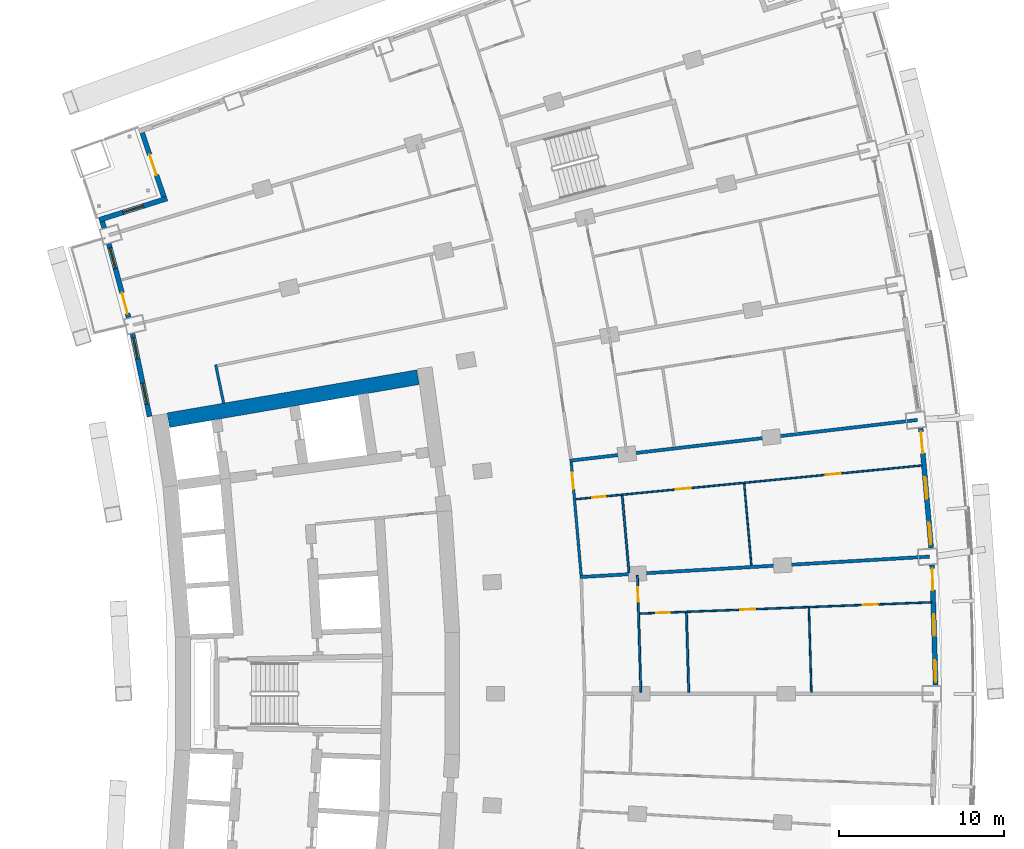
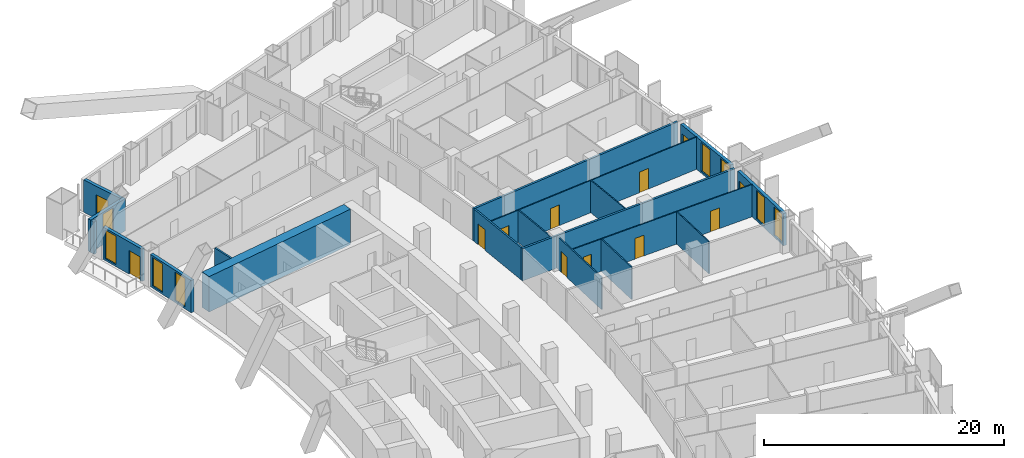
# One storey, part 18 of 25: 19 walls, 12 doors, 8 windows, 20 openings.
"""IFC4 building model written with IfcOpenShell, lengths in metres."""

import ifcopenshell
import ifcopenshell.guid

model = None  # the IFC model being written
_history = None  # IfcOwnerHistory: only IFC2X3 demands one
_inside = {}  # id of a spatial element -> (the spatial element, [elements in it])
_under = {}  # id of a project, library or spatial element -> (it, [spatial elements below it])
_declared = {}  # id of a project -> (the project, [libraries it declares])
_typed = {}  # id of a type object -> (the type object, [elements of that type])
_made_of = {}  # id of a material, layer set ... -> (it, [elements and type objects made of it])


def new_model(schema):
    """Start an empty IFC model of exactly this schema.

    Asked for "IFC4X3", IfcOpenShell would pick the latest addendum, in which some entities
    have other attributes; the version numbers below select the first issue.
    IFC2X3 requires an IfcOwnerHistory on every rooted entity: one is made here for all.
    """
    global model, _history
    if schema == "IFC4X3":
        model = ifcopenshell.file(schema_version=(4, 3, 0, 0))
    else:
        model = ifcopenshell.file(schema=schema)
    _inside.clear()
    _under.clear()
    _declared.clear()
    _typed.clear()
    _made_of.clear()
    _history = None
    if model.schema == "IFC2X3":
        org = make("IfcOrganization", Name="unknown")
        user = make(
            "IfcPersonAndOrganization",
            ThePerson=make("IfcPerson", FamilyName="unknown"),
            TheOrganization=org,
        )
        app = make(
            "IfcApplication",
            ApplicationDeveloper=org,
            Version="unknown",
            ApplicationFullName="unknown",
            ApplicationIdentifier="unknown",
        )
        _history = make(
            "IfcOwnerHistory",
            OwningUser=user,
            OwningApplication=app,
            ChangeAction="ADDED",
            CreationDate=0,
        )
    return model


def make(cls, **values):
    """One entity of the class cls with the attributes given. An attribute that is None is left unset."""
    return model.create_entity(
        cls, **{name: value for name, value in values.items() if value is not None}
    )


def rooted(cls, **values):
    """An entity with a GlobalId (a new one), such as an element, a storey or a relation."""
    return make(cls, GlobalId=ifcopenshell.guid.new(), OwnerHistory=_history, **values)


def si_unit(unit_type, name, prefix=None):
    """IfcSIUnit, for example si_unit("LENGTHUNIT", "METRE", prefix="MILLI")."""
    return make("IfcSIUnit", UnitType=unit_type, Prefix=prefix, Name=name)


def assignment(units):
    """IfcUnitAssignment: the units of a project."""
    return None if units is None else make("IfcUnitAssignment", Units=units)


def point(xyz):
    """IfcCartesianPoint."""
    return None if xyz is None else make("IfcCartesianPoint", Coordinates=xyz)


def direction(xyz):
    """IfcDirection."""
    return None if xyz is None else make("IfcDirection", DirectionRatios=xyz)


def frame(location, z_axis=None, x_axis=None):
    """IfcAxis2Placement3D, a coordinate frame: its origin and axes. An axis left out is left unset."""
    return make(
        "IfcAxis2Placement3D",
        Location=point(location),
        Axis=direction(z_axis),
        RefDirection=direction(x_axis),
    )


def frame_2d(location, x_axis=None):
    """IfcAxis2Placement2D, a coordinate frame in the plane: its origin and x axis."""
    return make(
        "IfcAxis2Placement2D", Location=point(location), RefDirection=direction(x_axis)
    )


def origin():
    """The frame at (0, 0, 0) with its axes left unset."""
    return frame((0.0, 0.0, 0.0))


def place(relative_to, where):
    """IfcLocalPlacement: puts the frame where relative to a parent placement (None: the world)."""
    return make(
        "IfcLocalPlacement", PlacementRelTo=relative_to, RelativePlacement=where
    )


def context(
    kind, dimensions, precision=None, world=None, true_north=None, identifier=None
):
    """IfcGeometricRepresentationContext, for example the 3D "Model" context."""
    return make(
        "IfcGeometricRepresentationContext",
        ContextIdentifier=identifier,
        ContextType=kind,
        CoordinateSpaceDimension=dimensions,
        Precision=precision,
        WorldCoordinateSystem=world,
        TrueNorth=true_north,
    )


def subcontext(parent, identifier, kind, view, scale=None):
    """IfcGeometricRepresentationSubContext, for example "Body" below "Model"."""
    return make(
        "IfcGeometricRepresentationSubContext",
        ContextIdentifier=identifier,
        ContextType=kind,
        ParentContext=parent,
        TargetScale=scale,
        TargetView=view,
    )


def project(units=None, contexts=None):
    """IfcProject with its units and contexts."""
    return rooted(
        "IfcProject",
        Name="project",
        RepresentationContexts=contexts,
        UnitsInContext=assignment(units),
    )


def spatial(cls, under=None, at=None, **own):
    """A site, building, storey or space (cls), placed at a placement, below another one or the project."""
    s = rooted(cls, ObjectPlacement=at, **own)
    if under is not None:
        _under.setdefault(under.id(), (under, []))[1].append(s)
    return s


def profile(cls, at=None, kind="AREA", **sizes):
    """A parametric profile (cls). Its sizes go by their IFC names, for example OverallWidth=200.0."""
    return make(cls, ProfileType=kind, Position=at, **sizes)


def rectangle(**sizes):
    """IfcRectangleProfileDef."""
    return profile("IfcRectangleProfileDef", **sizes)


def extrude(swept, where, along, depth):
    """IfcExtrudedAreaSolid: the profile swept, set in the frame where, extruded along a direction by depth."""
    return make(
        "IfcExtrudedAreaSolid",
        SweptArea=swept,
        Position=where,
        ExtrudedDirection=direction(along),
        Depth=depth,
    )


def shape(context_of_items, identifier, shape_type, items):
    """IfcShapeRepresentation: the items that make up one representation, for example the "Body"."""
    return make(
        "IfcShapeRepresentation",
        ContextOfItems=context_of_items,
        RepresentationIdentifier=identifier,
        RepresentationType=shape_type,
        Items=items,
    )


def material(Name=None, Category=None):
    """IfcMaterial."""
    return make("IfcMaterial", Name=Name, Category=Category)


def layer(
    of_material, thickness, ventilated=None, Name=None, Category=None, Priority=None
):
    """IfcMaterialLayer: one layer of a wall or slab, of a material (None: an air gap)."""
    return make(
        "IfcMaterialLayer",
        Material=of_material,
        LayerThickness=thickness,
        IsVentilated=ventilated,
        Name=Name,
        Category=Category,
        Priority=Priority,
    )


def layer_set(layers, Name=None):
    """IfcMaterialLayerSet."""
    return make("IfcMaterialLayerSet", MaterialLayers=layers, LayerSetName=Name)


def made_of(thing, what):
    """Note that an element or type object is made of a material, layer set ...; save() writes the relation."""
    if what is not None:
        _made_of.setdefault(what.id(), (what, []))[1].append(thing)
    return thing


def type_object(cls, material=None, **own):
    """A type object (cls), such as IfcWallType, which elements share."""
    return made_of(rooted(cls, **own), material)


def element(
    cls,
    number,
    at=None,
    inside=None,
    cuts=None,
    type_object=None,
    material=None,
    context=None,
    identifier="Body",
    shape_type=None,
    held_by="IfcProductDefinitionShape",
    body=None,
    shapes=None,
    **own,
):
    """One element of the class cls, such as IfcWall. Its Tag is "e" and its number.

    at: its placement. inside: the storey or other place that contains it. cuts: it is an
    opening in that element (IfcRelVoidsElement). A single representation is given by context,
    identifier, shape_type and body (its items); several are given by shapes. held_by: the class
    of the entity that holds the representations. save() writes the other relations.
    """
    e = rooted(cls, Tag="e%d" % number, ObjectPlacement=at, **own)
    if body is not None:
        shapes = [shape(context, identifier, shape_type, body)]
    if shapes is not None:
        e.Representation = make(held_by, Representations=shapes)
    if inside is not None:
        _inside.setdefault(inside.id(), (inside, []))[1].append(e)
    if cuts is not None:
        rooted(
            "IfcRelVoidsElement", RelatingBuildingElement=cuts, RelatedOpeningElement=e
        )
    if type_object is not None:
        _typed.setdefault(type_object.id(), (type_object, []))[1].append(e)
    return made_of(e, material)


def fill(opening, filler):
    """IfcRelFillsElement: the door or window that sits in an opening."""
    return rooted(
        "IfcRelFillsElement",
        RelatingOpeningElement=opening,
        RelatedBuildingElement=filler,
    )


def aggregate(whole, parts):
    """IfcRelAggregates: a whole, such as a stair, and the parts it consists of."""
    return rooted("IfcRelAggregates", RelatingObject=whole, RelatedObjects=parts)


def save(model, path):
    """Write the relations noted so far, then the file.

    IfcRelAggregates (storeys below a building ...), IfcRelContainedInSpatialStructure (elements
    in a storey), IfcRelDefinesByType, IfcRelAssociatesMaterial and IfcRelDeclares: one each for
    every whole, place, type object, material and project.
    """
    for whole, parts in _under.values():
        aggregate(whole, parts)
    for where, things in _inside.values():
        rooted(
            "IfcRelContainedInSpatialStructure",
            RelatedElements=things,
            RelatingStructure=where,
        )
    for kind, things in _typed.values():
        rooted("IfcRelDefinesByType", RelatedObjects=things, RelatingType=kind)
    for what, things in _made_of.values():
        rooted("IfcRelAssociatesMaterial", RelatedObjects=things, RelatingMaterial=what)
    for by, libraries in _declared.values():
        rooted("IfcRelDeclares", RelatingContext=by, RelatedDefinitions=libraries)
    model.write(path)


model = new_model("IFC4")

# Units and contexts
model_context = context("Model", 3, precision=1e-05, world=origin(), true_north=direction((0.0, 1.0)))
body_context = subcontext(model_context, "Body", "Model", "MODEL_VIEW")
ifc_project = project(units=[si_unit("LENGTHUNIT", "METRE"), si_unit("AREAUNIT", "SQUARE_METRE"), si_unit("VOLUMEUNIT", "CUBIC_METRE"), si_unit("PLANEANGLEUNIT", "RADIAN"), si_unit("MASSUNIT", "GRAM", prefix="KILO")], contexts=[model_context])

# Site, building, storey
site_placement = place(None, origin())
site = spatial("IfcSite", under=ifc_project, at=site_placement, CompositionType="ELEMENT")
building_placement = place(site_placement, origin())
building = spatial("IfcBuilding", under=site, at=building_placement, Name="Alderwake Tower", CompositionType="ELEMENT")
storey_placement = place(building_placement, frame((0.0, 0.0, 64.39990234375)))
storey = spatial("IfcBuildingStorey", under=building, at=storey_placement, Name="L15", CompositionType="ELEMENT", Elevation=64.39990234375)

# Walls
ifc_material_1 = material(Name="Concrete C70/85", Category="concrete")
ifc_layer_1 = layer(ifc_material_1, 0.89990234375)
ifc_layer_set_1 = layer_set([ifc_layer_1], Name="Core wall outer 900 C70-85")
wall_type_1 = type_object("IfcWallType", Name="Core wall outer 900 C70-85", PredefinedType="SHEAR", material=ifc_layer_set_1)
wall_1_placement = place(storey_placement, frame((16.005615234375, 77.548828125, 0.0), z_axis=(0.0, 0.0, 1.0), x_axis=(0.985465815888, 0.169873852363, 0.0)))
element("IfcWall", 1, at=wall_1_placement, inside=storey, type_object=wall_type_1, Name="Core wall CW.053", PredefinedType="SHEAR", context=body_context, shape_type="SweptSolid", body=[
    extrude(rectangle(XDim=15.33056640625, YDim=0.89990234375, at=frame_2d((7.665283203125, 0.0))), origin(), (0.0, 0.0, 1.0), 3.60009765625),
])
ifc_material_2 = material(Name="Gypsum board on metal studs, rated")
ifc_layer_2 = layer(ifc_material_2, 0.159912109375)
ifc_layer_set_2 = layer_set([ifc_layer_2], Name="Corridor wall 160")
wall_type_2 = type_object("IfcWallType", Name="Corridor wall 160", PredefinedType="PARTITIONING", material=ifc_layer_set_2)
wall_2_placement = place(storey_placement, frame((18.874755859375, 80.910400390625, 0.0), z_axis=(0.0, 0.0, 1.0), x_axis=(0.202312089075, -0.979321100873, 0.0)))
element("IfcWall", 2, at=wall_2_placement, inside=storey, type_object=wall_type_2, Name="WL/L15/W19", PredefinedType="PARTITIONING", context=body_context, shape_type="SweptSolid", body=[
    extrude(rectangle(XDim=2.39306640625, YDim=0.159912109375, at=frame_2d((1.196533203125, 0.0))), origin(), (0.0, 0.0, 1.0), 3.280029296875),
])

# Wall, opening, door
wall_3_placement = place(storey_placement, frame((40.3857421875, 75.00830078125, 0.0), z_axis=(0.0, 0.0, 1.0), x_axis=(0.087448731147, -0.996169021512, 0.0)))
wall_3 = element("IfcWall", 3, at=wall_3_placement, inside=storey, type_object=wall_type_2, Name="WL/L15/W41", PredefinedType="PARTITIONING", context=body_context, shape_type="SweptSolid", body=[
    extrude(rectangle(XDim=6.867919921875, YDim=0.159912109375, at=frame_2d((3.43408203125, 0.0))), origin(), (0.0, 0.0, 1.0), 3.280029296875),
])
opening_1_placement = place(wall_3_placement, frame((0.628173828125, 0.0, 0.0)))
opening_1 = element("IfcOpeningElement", 4, at=opening_1_placement, cuts=wall_3, Name="Opening R04-U09.2", PredefinedType="OPENING", context=body_context, shape_type="SweptSolid", body=[
    extrude(rectangle(XDim=1.0, YDim=2.10009765625, at=frame_2d((0.5, 1.050048828125))), frame((0.0, 0.08984375, 0.0), z_axis=(0.0, -1.0, 0.0), x_axis=(1.0, 0.0, 0.0)), (0.0, 0.0, 1.0), 0.179931640625),
])
ifc_material_3 = material(Name="Solid timber leaf in steel frame", Category="steel")
door_type_1 = type_object("IfcDoorType", Name="Flat entrance door 1000 fire-rated", OperationType="SINGLE_SWING_LEFT", PredefinedType="DOOR", material=ifc_material_3)
door_1_placement = place(opening_1_placement, origin())
door_1 = element("IfcDoor", 5, at=door_1_placement, inside=storey, type_object=door_type_1, Name="DR/L15/U09.2", OperationType="SINGLE_SWING_LEFT", OverallHeight=2.10009765625, OverallWidth=1.0, PredefinedType="DOOR", context=body_context, shape_type="SweptSolid", body=[
    extrude(rectangle(XDim=1.0, YDim=2.10009765625, at=frame_2d((0.5, 1.050048828125))), frame((0.0, 0.02490234375, 0.0), z_axis=(0.0, -1.0, 0.0), x_axis=(1.0, 0.0, 0.0)), (0.0, 0.0, 1.0), 0.050048828125),
])
fill(opening_1, door_1)

# Wall, openings, door, windows
ifc_material_4 = material(Name="Precast concrete C50/60 spandrel panel", Category="concrete")
ifc_layer_3 = layer(ifc_material_4, 0.300048828125)
ifc_layer_set_3 = layer_set([ifc_layer_3], Name="External wall EW1 Precast concrete C50/60 spandrel")
wall_type_3 = type_object("IfcWallType", Name="External wall EW1 Precast concrete C50/60 spandrel", PredefinedType="SOLIDWALL", material=ifc_layer_set_3)
wall_4_placement = place(storey_placement, frame((62.434814453125, 61.5244140625, 0.0), z_axis=(0.0, 0.0, 1.0), x_axis=(-0.029192492368, 0.999573808375, 0.0)))
wall_4 = element("IfcWall", 6, at=wall_4_placement, inside=storey, type_object=wall_type_3, Name="External wall 17", PredefinedType="SOLIDWALL", context=body_context, shape_type="SweptSolid", body=[
    extrude(rectangle(XDim=7.25927734375, YDim=0.300048828125, at=frame_2d((3.629638671875, 0.0))), origin(), (0.0, 0.0, 1.0), 3.280029296875),
])
opening_2_placement = place(wall_4_placement, frame((0.215087890625, 0.0, 0.199951171875)))
opening_2 = element("IfcOpeningElement", 7, at=opening_2_placement, cuts=wall_4, Name="Opening W1", PredefinedType="OPENING", context=body_context, shape_type="SweptSolid", body=[
    extrude(rectangle(XDim=1.300048828125, YDim=2.89990234375, at=frame_2d((0.64990234375, 1.449951171875))), frame((0.0, 0.159912109375, 0.0), z_axis=(0.0, -1.0, 0.0), x_axis=(1.0, 0.0, 0.0)), (0.0, 0.0, 1.0), 0.320068359375),
])
opening_3_placement = place(wall_4_placement, frame((2.9794921875, 0.0, 0.199951171875)))
opening_3 = element("IfcOpeningElement", 8, at=opening_3_placement, cuts=wall_4, Name="Opening W1", PredefinedType="OPENING", context=body_context, shape_type="SweptSolid", body=[
    extrude(rectangle(XDim=1.300048828125, YDim=2.89990234375, at=frame_2d((0.64990234375, 1.449951171875))), frame((0.0, 0.159912109375, 0.0), z_axis=(0.0, -1.0, 0.0), x_axis=(1.0, 0.0, 0.0)), (0.0, 0.0, 1.0), 0.320068359375),
])
opening_4_placement = place(wall_4_placement, frame((5.744140625, 0.0, 0.0)))
opening_4 = element("IfcOpeningElement", 9, at=opening_4_placement, cuts=wall_4, Name="Opening D08", PredefinedType="OPENING", context=body_context, shape_type="SweptSolid", body=[
    extrude(rectangle(XDim=1.300048828125, YDim=2.39990234375, at=frame_2d((0.64990234375, 1.199951171875))), frame((0.0, 0.159912109375, 0.0), z_axis=(0.0, -1.0, 0.0), x_axis=(1.0, 0.0, 0.0)), (0.0, 0.0, 1.0), 0.320068359375),
])
ifc_material_5 = material(Name="Bronze tinted glass in aluminium frame", Category="aluminium")
door_type_2 = type_object("IfcDoorType", Name="Balcony door BD sliding", OperationType="SLIDING_TO_LEFT", PredefinedType="DOOR", material=ifc_material_5)
door_2_placement = place(opening_4_placement, origin())
door_2 = element("IfcDoor", 10, at=door_2_placement, inside=storey, type_object=door_type_2, Name="Door D08", OperationType="SLIDING_TO_LEFT", OverallHeight=2.39990234375, OverallWidth=1.300048828125, PredefinedType="DOOR", context=body_context, shape_type="SweptSolid", body=[
    extrude(rectangle(XDim=1.300048828125, YDim=2.39990234375, at=frame_2d((0.64990234375, 1.199951171875))), frame((0.0, 0.02490234375, 0.0), z_axis=(0.0, -1.0, 0.0), x_axis=(1.0, 0.0, 0.0)), (0.0, 0.0, 1.0), 0.050048828125),
])
fill(opening_4, door_2)
ifc_material_6 = material(Name="Bronze tinted glass in aluminium frame", Category="aluminium")
window_type = type_object("IfcWindowType", Name="Window W1 tall fixed and vent", PartitioningType="DOUBLE_PANEL_VERTICAL", PredefinedType="WINDOW", material=ifc_material_6)
window_1_placement = place(opening_2_placement, origin())
window_1 = element("IfcWindow", 11, at=window_1_placement, inside=storey, type_object=window_type, Name="Window W1 tall fixed and vent", OverallHeight=2.89990234375, OverallWidth=1.300048828125, PartitioningType="DOUBLE_PANEL_VERTICAL", PredefinedType="WINDOW", context=body_context, shape_type="SweptSolid", body=[
    extrude(rectangle(XDim=1.300048828125, YDim=2.89990234375, at=frame_2d((0.64990234375, 1.449951171875))), frame((0.0, 0.030029296875, 0.0), z_axis=(0.0, -1.0, 0.0), x_axis=(1.0, 0.0, 0.0)), (0.0, 0.0, 1.0), 0.06005859375),
])
fill(opening_2, window_1)
window_2_placement = place(opening_3_placement, origin())
window_2 = element("IfcWindow", 12, at=window_2_placement, inside=storey, type_object=window_type, Name="Window W1 tall fixed and vent", OverallHeight=2.89990234375, OverallWidth=1.300048828125, PartitioningType="DOUBLE_PANEL_VERTICAL", PredefinedType="WINDOW", context=body_context, shape_type="SweptSolid", body=[
    extrude(rectangle(XDim=1.300048828125, YDim=2.89990234375, at=frame_2d((0.64990234375, 1.449951171875))), frame((0.0, 0.030029296875, 0.0), z_axis=(0.0, -1.0, 0.0), x_axis=(1.0, 0.0, 0.0)), (0.0, 0.0, 1.0), 0.06005859375),
])
fill(opening_3, window_2)

wall_5_placement = place(storey_placement, frame((62.161865234375, 69.827392578125, 0.0), z_axis=(0.0, 0.0, 1.0), x_axis=(-0.087375550333, 0.996175442984, 0.0)))
wall_5 = element("IfcWall", 13, at=wall_5_placement, inside=storey, type_object=wall_type_3, Name="External wall 18", PredefinedType="SOLIDWALL", context=body_context, shape_type="SweptSolid", body=[
    extrude(rectangle(XDim=7.25927734375, YDim=0.300048828125, at=frame_2d((3.629638671875, 0.0))), origin(), (0.0, 0.0, 1.0), 3.280029296875),
])
opening_5_placement = place(wall_5_placement, frame((0.215087890625, 0.0, 0.199951171875)))
opening_5 = element("IfcOpeningElement", 14, at=opening_5_placement, cuts=wall_5, Name="Opening W1", PredefinedType="OPENING", context=body_context, shape_type="SweptSolid", body=[
    extrude(rectangle(XDim=1.300048828125, YDim=2.89990234375, at=frame_2d((0.64990234375, 1.449951171875))), frame((0.0, 0.159912109375, 0.0), z_axis=(0.0, -1.0, 0.0), x_axis=(1.0, 0.0, 0.0)), (0.0, 0.0, 1.0), 0.320068359375),
])
opening_6_placement = place(wall_5_placement, frame((2.9794921875, 0.0, 0.199951171875)))
opening_6 = element("IfcOpeningElement", 15, at=opening_6_placement, cuts=wall_5, Name="Opening W1", PredefinedType="OPENING", context=body_context, shape_type="SweptSolid", body=[
    extrude(rectangle(XDim=1.300048828125, YDim=2.89990234375, at=frame_2d((0.64990234375, 1.449951171875))), frame((0.0, 0.159912109375, 0.0), z_axis=(0.0, -1.0, 0.0), x_axis=(1.0, 0.0, 0.0)), (0.0, 0.0, 1.0), 0.320068359375),
])
opening_7_placement = place(wall_5_placement, frame((5.744140625, 0.0, 0.0)))
opening_7 = element("IfcOpeningElement", 16, at=opening_7_placement, cuts=wall_5, Name="Opening D09", PredefinedType="OPENING", context=body_context, shape_type="SweptSolid", body=[
    extrude(rectangle(XDim=1.300048828125, YDim=2.39990234375, at=frame_2d((0.64990234375, 1.199951171875))), frame((0.0, 0.159912109375, 0.0), z_axis=(0.0, -1.0, 0.0), x_axis=(1.0, 0.0, 0.0)), (0.0, 0.0, 1.0), 0.320068359375),
])
door_3_placement = place(opening_7_placement, origin())
door_3 = element("IfcDoor", 17, at=door_3_placement, inside=storey, type_object=door_type_2, Name="Door D09", OperationType="SLIDING_TO_LEFT", OverallHeight=2.39990234375, OverallWidth=1.300048828125, PredefinedType="DOOR", context=body_context, shape_type="SweptSolid", body=[
    extrude(rectangle(XDim=1.300048828125, YDim=2.39990234375, at=frame_2d((0.64990234375, 1.199951171875))), frame((0.0, 0.02490234375, 0.0), z_axis=(0.0, -1.0, 0.0), x_axis=(1.0, 0.0, 0.0)), (0.0, 0.0, 1.0), 0.050048828125),
])
fill(opening_7, door_3)
window_3_placement = place(opening_5_placement, origin())
window_3 = element("IfcWindow", 18, at=window_3_placement, inside=storey, type_object=window_type, Name="Window W1 tall fixed and vent", OverallHeight=2.89990234375, OverallWidth=1.300048828125, PartitioningType="DOUBLE_PANEL_VERTICAL", PredefinedType="WINDOW", context=body_context, shape_type="SweptSolid", body=[
    extrude(rectangle(XDim=1.300048828125, YDim=2.89990234375, at=frame_2d((0.64990234375, 1.449951171875))), frame((0.0, 0.030029296875, 0.0), z_axis=(0.0, -1.0, 0.0), x_axis=(1.0, 0.0, 0.0)), (0.0, 0.0, 1.0), 0.06005859375),
])
fill(opening_5, window_3)
window_4_placement = place(opening_6_placement, origin())
window_4 = element("IfcWindow", 19, at=window_4_placement, inside=storey, type_object=window_type, Name="Window W1 tall fixed and vent", OverallHeight=2.89990234375, OverallWidth=1.300048828125, PartitioningType="DOUBLE_PANEL_VERTICAL", PredefinedType="WINDOW", context=body_context, shape_type="SweptSolid", body=[
    extrude(rectangle(XDim=1.300048828125, YDim=2.89990234375, at=frame_2d((0.64990234375, 1.449951171875))), frame((0.0, 0.030029296875, 0.0), z_axis=(0.0, -1.0, 0.0), x_axis=(1.0, 0.0, 0.0)), (0.0, 0.0, 1.0), 0.06005859375),
])
fill(opening_6, window_4)

# Wall
wall_6_placement = place(storey_placement, frame((12.01416015625, 89.5703125, 0.0), z_axis=(0.0, 0.0, 1.0), x_axis=(0.29468230117, -0.955595281161, 0.0)))
element("IfcWall", 20, at=wall_6_placement, inside=storey, type_object=wall_type_3, Name="External wall 32", PredefinedType="SOLIDWALL", context=body_context, shape_type="SweptSolid", body=[
    extrude(rectangle(XDim=0.402587890625, YDim=0.300048828125, at=frame_2d((0.201171875, 0.0))), origin(), (0.0, 0.0, 1.0), 3.280029296875),
])

# Wall, openings, door, window
wall_7_placement = place(storey_placement, frame((12.4130859375, 88.212890625, 0.0), z_axis=(0.0, 0.0, 1.0), x_axis=(0.259495671332, -0.965744270788, 0.0)))
wall_7 = element("IfcWall", 21, at=wall_7_placement, inside=storey, type_object=wall_type_3, Name="External wall 33", PredefinedType="SOLIDWALL", context=body_context, shape_type="SweptSolid", body=[
    extrude(rectangle(XDim=4.599609375, YDim=0.300048828125, at=frame_2d((2.2998046875, 0.0))), origin(), (0.0, 0.0, 1.0), 3.280029296875),
])
opening_8_placement = place(wall_7_placement, frame((0.2412109375, 0.0, 0.199951171875)))
opening_8 = element("IfcOpeningElement", 22, at=opening_8_placement, cuts=wall_7, Name="Opening W1", PredefinedType="OPENING", context=body_context, shape_type="SweptSolid", body=[
    extrude(rectangle(XDim=1.300048828125, YDim=2.89990234375, at=frame_2d((0.64990234375, 1.449951171875))), frame((0.0, 0.159912109375, 0.0), z_axis=(0.0, -1.0, 0.0), x_axis=(1.0, 0.0, 0.0)), (0.0, 0.0, 1.0), 0.320068359375),
])
opening_9_placement = place(wall_7_placement, frame((3.058349609375, 0.0, 0.0)))
opening_9 = element("IfcOpeningElement", 23, at=opening_9_placement, cuts=wall_7, Name="Opening D15", PredefinedType="OPENING", context=body_context, shape_type="SweptSolid", body=[
    extrude(rectangle(XDim=1.300048828125, YDim=2.39990234375, at=frame_2d((0.64990234375, 1.199951171875))), frame((0.0, 0.159912109375, 0.0), z_axis=(0.0, -1.0, 0.0), x_axis=(1.0, 0.0, 0.0)), (0.0, 0.0, 1.0), 0.320068359375),
])
door_4_placement = place(opening_9_placement, origin())
door_4 = element("IfcDoor", 24, at=door_4_placement, inside=storey, type_object=door_type_2, Name="Door D15", OperationType="SLIDING_TO_LEFT", OverallHeight=2.39990234375, OverallWidth=1.300048828125, PredefinedType="DOOR", context=body_context, shape_type="SweptSolid", body=[
    extrude(rectangle(XDim=1.300048828125, YDim=2.39990234375, at=frame_2d((0.64990234375, 1.199951171875))), frame((0.0, 0.02490234375, 0.0), z_axis=(0.0, -1.0, 0.0), x_axis=(1.0, 0.0, 0.0)), (0.0, 0.0, 1.0), 0.050048828125),
])
fill(opening_9, door_4)
window_5_placement = place(opening_8_placement, origin())
window_5 = element("IfcWindow", 25, at=window_5_placement, inside=storey, type_object=window_type, Name="Window W1 tall fixed and vent", OverallHeight=2.89990234375, OverallWidth=1.300048828125, PartitioningType="DOUBLE_PANEL_VERTICAL", PredefinedType="WINDOW", context=body_context, shape_type="SweptSolid", body=[
    extrude(rectangle(XDim=1.300048828125, YDim=2.89990234375, at=frame_2d((0.64990234375, 1.449951171875))), frame((0.0, 0.030029296875, 0.0), z_axis=(0.0, -1.0, 0.0), x_axis=(1.0, 0.0, 0.0)), (0.0, 0.0, 1.0), 0.06005859375),
])
fill(opening_8, window_5)

# Wall, openings, windows
wall_8_placement = place(storey_placement, frame((13.842529296875, 82.77880859375, 0.0), z_axis=(0.0, 0.0, 1.0), x_axis=(0.202738354746, -0.979232944459, 0.0)))
wall_8 = element("IfcWall", 26, at=wall_8_placement, inside=storey, type_object=wall_type_3, Name="External wall 34", PredefinedType="SOLIDWALL", context=body_context, shape_type="SweptSolid", body=[
    extrude(rectangle(XDim=5.1083984375, YDim=0.300048828125, at=frame_2d((2.55419921875, 0.0))), origin(), (0.0, 0.0, 1.0), 3.280029296875),
])
opening_10_placement = place(wall_8_placement, frame((0.239013671875, 0.0, 0.199951171875)))
opening_10 = element("IfcOpeningElement", 27, at=opening_10_placement, cuts=wall_8, Name="Opening W1", PredefinedType="OPENING", context=body_context, shape_type="SweptSolid", body=[
    extrude(rectangle(XDim=1.300048828125, YDim=2.89990234375, at=frame_2d((0.64990234375, 1.449951171875))), frame((0.0, 0.159912109375, 0.0), z_axis=(0.0, -1.0, 0.0), x_axis=(1.0, 0.0, 0.0)), (0.0, 0.0, 1.0), 0.320068359375),
])
opening_11_placement = place(wall_8_placement, frame((3.0517578125, 0.0, 0.199951171875)))
opening_11 = element("IfcOpeningElement", 28, at=opening_11_placement, cuts=wall_8, Name="Opening W1", PredefinedType="OPENING", context=body_context, shape_type="SweptSolid", body=[
    extrude(rectangle(XDim=1.300048828125, YDim=2.89990234375, at=frame_2d((0.64990234375, 1.449951171875))), frame((0.0, 0.159912109375, 0.0), z_axis=(0.0, -1.0, 0.0), x_axis=(1.0, 0.0, 0.0)), (0.0, 0.0, 1.0), 0.320068359375),
])
window_6_placement = place(opening_10_placement, origin())
window_6 = element("IfcWindow", 29, at=window_6_placement, inside=storey, type_object=window_type, Name="Window W1 tall fixed and vent", OverallHeight=2.89990234375, OverallWidth=1.300048828125, PartitioningType="DOUBLE_PANEL_VERTICAL", PredefinedType="WINDOW", context=body_context, shape_type="SweptSolid", body=[
    extrude(rectangle(XDim=1.300048828125, YDim=2.89990234375, at=frame_2d((0.64990234375, 1.449951171875))), frame((0.0, 0.030029296875, 0.0), z_axis=(0.0, -1.0, 0.0), x_axis=(1.0, 0.0, 0.0)), (0.0, 0.0, 1.0), 0.06005859375),
])
fill(opening_10, window_6)
window_7_placement = place(opening_11_placement, origin())
window_7 = element("IfcWindow", 30, at=window_7_placement, inside=storey, type_object=window_type, Name="Window W1 tall fixed and vent", OverallHeight=2.89990234375, OverallWidth=1.300048828125, PartitioningType="DOUBLE_PANEL_VERTICAL", PredefinedType="WINDOW", context=body_context, shape_type="SweptSolid", body=[
    extrude(rectangle(XDim=1.300048828125, YDim=2.89990234375, at=frame_2d((0.64990234375, 1.449951171875))), frame((0.0, 0.030029296875, 0.0), z_axis=(0.0, -1.0, 0.0), x_axis=(1.0, 0.0, 0.0)), (0.0, 0.0, 1.0), 0.06005859375),
])
fill(opening_11, window_7)

# Wall, opening, door
ifc_material_7 = material(Name="Bronze metal cladding on lightweight framing")
ifc_layer_4 = layer(ifc_material_7, 0.300048828125)
ifc_layer_set_4 = layer_set([ifc_layer_4], Name="External wall EW2 bronze metal cladding")
wall_type_4 = type_object("IfcWallType", Name="External wall EW2 bronze metal cladding", PredefinedType="SOLIDWALL", material=ifc_layer_set_4)
wall_9_placement = place(storey_placement, frame((14.430908203125, 94.937744140625, 0.0), z_axis=(0.0, 0.0, 1.0), x_axis=(0.320379458656, -0.947289291859, 0.0)))
wall_9 = element("IfcWall", 31, at=wall_9_placement, inside=storey, type_object=wall_type_4, Name="External wall 30", PredefinedType="SOLIDWALL", context=body_context, shape_type="SweptSolid", body=[
    extrude(rectangle(XDim=4.08984375, YDim=0.300048828125, at=frame_2d((2.044921875, 0.0))), origin(), (0.0, 0.0, 1.0), 3.280029296875),
])
opening_12_placement = place(wall_9_placement, frame((1.39501953125, 0.0, 0.0)))
opening_12 = element("IfcOpeningElement", 32, at=opening_12_placement, cuts=wall_9, Name="Opening D14", PredefinedType="OPENING", context=body_context, shape_type="SweptSolid", body=[
    extrude(rectangle(XDim=1.300048828125, YDim=2.39990234375, at=frame_2d((0.64990234375, 1.199951171875))), frame((0.0, 0.159912109375, 0.0), z_axis=(0.0, -1.0, 0.0), x_axis=(1.0, 0.0, 0.0)), (0.0, 0.0, 1.0), 0.320068359375),
])
door_5_placement = place(opening_12_placement, origin())
door_5 = element("IfcDoor", 33, at=door_5_placement, inside=storey, type_object=door_type_2, Name="Door D14", OperationType="SLIDING_TO_LEFT", OverallHeight=2.39990234375, OverallWidth=1.300048828125, PredefinedType="DOOR", context=body_context, shape_type="SweptSolid", body=[
    extrude(rectangle(XDim=1.300048828125, YDim=2.39990234375, at=frame_2d((0.64990234375, 1.199951171875))), frame((0.0, 0.02490234375, 0.0), z_axis=(0.0, -1.0, 0.0), x_axis=(1.0, 0.0, 0.0)), (0.0, 0.0, 1.0), 0.050048828125),
])
fill(opening_12, door_5)

# Wall, opening, window
wall_10_placement = place(storey_placement, frame((15.932373046875, 90.966552734375, 0.0), z_axis=(0.0, 0.0, 1.0), x_axis=(-0.953473772386, -0.301475978103, 0.0)))
wall_10 = element("IfcWall", 34, at=wall_10_placement, inside=storey, type_object=wall_type_4, Name="External wall 31", PredefinedType="SOLIDWALL", context=body_context, shape_type="SweptSolid", body=[
    extrude(rectangle(XDim=4.305908203125, YDim=0.300048828125, at=frame_2d((2.15283203125, 0.0))), origin(), (0.0, 0.0, 1.0), 3.280029296875),
])
opening_13_placement = place(wall_10_placement, frame((1.5029296875, 0.0, 0.199951171875)))
opening_13 = element("IfcOpeningElement", 35, at=opening_13_placement, cuts=wall_10, Name="Opening W1", PredefinedType="OPENING", context=body_context, shape_type="SweptSolid", body=[
    extrude(rectangle(XDim=1.300048828125, YDim=2.89990234375, at=frame_2d((0.64990234375, 1.449951171875))), frame((0.0, 0.159912109375, 0.0), z_axis=(0.0, -1.0, 0.0), x_axis=(1.0, 0.0, 0.0)), (0.0, 0.0, 1.0), 0.320068359375),
])
window_8_placement = place(opening_13_placement, origin())
window_8 = element("IfcWindow", 36, at=window_8_placement, inside=storey, type_object=window_type, Name="Window W1 tall fixed and vent", OverallHeight=2.89990234375, OverallWidth=1.300048828125, PartitioningType="DOUBLE_PANEL_VERTICAL", PredefinedType="WINDOW", context=body_context, shape_type="SweptSolid", body=[
    extrude(rectangle(XDim=1.300048828125, YDim=2.89990234375, at=frame_2d((0.64990234375, 1.449951171875))), frame((0.0, 0.030029296875, 0.0), z_axis=(0.0, -1.0, 0.0), x_axis=(1.0, 0.0, 0.0)), (0.0, 0.0, 1.0), 0.06005859375),
])
fill(opening_13, window_8)

# Walls
ifc_material_8 = material(Name="Dense block masonry wall", Category="masonry")
ifc_layer_5 = layer(ifc_material_8, 0.199951171875)
ifc_layer_set_5 = layer_set([ifc_layer_5], Name="Party wall 200")
wall_type_5 = type_object("IfcWallType", Name="Party wall 200", PredefinedType="SOLIDWALL", material=ifc_layer_set_5)
wall_11_placement = place(storey_placement, frame((40.297607421875, 75.0986328125, 0.0), z_axis=(0.0, 0.0, 1.0), x_axis=(0.993196167424, 0.116453308301, 0.0)))
element("IfcWall", 37, at=wall_11_placement, inside=storey, type_object=wall_type_5, Name="WL/L15/W08", PredefinedType="SOLIDWALL", context=body_context, shape_type="SweptSolid", body=[
    extrude(rectangle(XDim=21.178466796875, YDim=0.199951171875, at=frame_2d((10.58935546875, 0.0))), origin(), (0.0, 0.0, 1.0), 3.280029296875),
])
wall_12_placement = place(storey_placement, frame((62.05810546875, 69.297119140625, 0.0), z_axis=(0.0, 0.0, 1.0), x_axis=(-0.998298772247, -0.058305757258, 0.0)))
element("IfcWall", 38, at=wall_12_placement, inside=storey, type_object=wall_type_5, Name="WL/L15/W13", PredefinedType="SOLIDWALL", context=body_context, shape_type="SweptSolid", body=[
    extrude(rectangle(XDim=21.17919921875, YDim=0.199951171875, at=frame_2d((10.589599609375, 0.0))), origin(), (0.0, 0.0, 1.0), 3.280029296875),
])

# Wall, openings, doors
ifc_material_9 = material(Name="Gypsum board on metal studs")
ifc_layer_6 = layer(ifc_material_9, 0.10009765625)
ifc_layer_set_6 = layer_set([ifc_layer_6], Name="Unit partition 100")
wall_type_6 = type_object("IfcWallType", Name="Unit partition 100", PredefinedType="PARTITIONING", material=ifc_layer_set_6)
wall_13_placement = place(storey_placement, frame((61.6259765625, 74.81396484375, 0.0), z_axis=(0.0, 0.0, 1.0), x_axis=(-0.995280178021, -0.097043120509, 0.0)))
wall_13 = element("IfcWall", 39, at=wall_13_placement, inside=storey, type_object=wall_type_6, Name="WL/L15/W72", PredefinedType="PARTITIONING", context=body_context, shape_type="SweptSolid", body=[
    extrude(rectangle(XDim=21.064697265625, YDim=0.10009765625, at=frame_2d((10.5322265625, 0.0))), origin(), (0.0, 0.0, 1.0), 3.280029296875),
])
opening_14_placement = place(wall_13_placement, frame((14.088134765625, 0.0, 0.0)))
opening_14 = element("IfcOpeningElement", 40, at=opening_14_placement, cuts=wall_13, Name="Opening R04-U09.1", PredefinedType="OPENING", context=body_context, shape_type="SweptSolid", body=[
    extrude(rectangle(XDim=0.89990234375, YDim=2.10009765625, at=frame_2d((0.449951171875, 1.050048828125))), frame((0.0, 0.06005859375, 0.0), z_axis=(0.0, -1.0, 0.0), x_axis=(1.0, 0.0, 0.0)), (0.0, 0.0, 1.0), 0.1201171875),
])
opening_15_placement = place(wall_13_placement, frame((19.2548828125, 0.0, 0.0)))
opening_15 = element("IfcOpeningElement", 41, at=opening_15_placement, cuts=wall_13, Name="Opening R04-U09.3", PredefinedType="OPENING", context=body_context, shape_type="SweptSolid", body=[
    extrude(rectangle(XDim=0.800048828125, YDim=2.10009765625, at=frame_2d((0.39990234375, 1.050048828125))), frame((0.0, 0.06005859375, 0.0), z_axis=(0.0, -1.0, 0.0), x_axis=(1.0, 0.0, 0.0)), (0.0, 0.0, 1.0), 0.1201171875),
])
opening_16_placement = place(wall_13_placement, frame((4.96630859375, 0.0, 0.0)))
opening_16 = element("IfcOpeningElement", 42, at=opening_16_placement, cuts=wall_13, Name="Opening R04-U09.4", PredefinedType="OPENING", context=body_context, shape_type="SweptSolid", body=[
    extrude(rectangle(XDim=0.89990234375, YDim=2.10009765625, at=frame_2d((0.449951171875, 1.050048828125))), frame((0.0, 0.06005859375, 0.0), z_axis=(0.0, -1.0, 0.0), x_axis=(1.0, 0.0, 0.0)), (0.0, 0.0, 1.0), 0.1201171875),
])
ifc_material_10 = material(Name="Painted timber leaf", Category="wood")
door_type_3 = type_object("IfcDoorType", Name="Bathroom door 800", OperationType="SINGLE_SWING_LEFT", PredefinedType="DOOR", material=ifc_material_10)
door_6_placement = place(opening_15_placement, origin())
door_6 = element("IfcDoor", 43, at=door_6_placement, inside=storey, type_object=door_type_3, Name="DR/L15/U09.3", OperationType="SINGLE_SWING_LEFT", OverallHeight=2.10009765625, OverallWidth=0.800048828125, PredefinedType="DOOR", context=body_context, shape_type="SweptSolid", body=[
    extrude(rectangle(XDim=0.800048828125, YDim=2.10009765625, at=frame_2d((0.39990234375, 1.050048828125))), frame((0.0, 0.02490234375, 0.0), z_axis=(0.0, -1.0, 0.0), x_axis=(1.0, 0.0, 0.0)), (0.0, 0.0, 1.0), 0.050048828125),
])
fill(opening_15, door_6)
ifc_material_11 = material(Name="Painted timber leaf", Category="wood")
door_type_4 = type_object("IfcDoorType", Name="Room door 900", OperationType="SINGLE_SWING_LEFT", PredefinedType="DOOR", material=ifc_material_11)
door_7_placement = place(opening_14_placement, origin())
door_7 = element("IfcDoor", 44, at=door_7_placement, inside=storey, type_object=door_type_4, Name="DR/L15/U09.1", OperationType="SINGLE_SWING_LEFT", OverallHeight=2.10009765625, OverallWidth=0.89990234375, PredefinedType="DOOR", context=body_context, shape_type="SweptSolid", body=[
    extrude(rectangle(XDim=0.89990234375, YDim=2.10009765625, at=frame_2d((0.449951171875, 1.050048828125))), frame((0.0, 0.02490234375, 0.0), z_axis=(0.0, -1.0, 0.0), x_axis=(1.0, 0.0, 0.0)), (0.0, 0.0, 1.0), 0.050048828125),
])
fill(opening_14, door_7)
door_8_placement = place(opening_16_placement, origin())
door_8 = element("IfcDoor", 45, at=door_8_placement, inside=storey, type_object=door_type_4, Name="DR/L15/U09.4", OperationType="SINGLE_SWING_LEFT", OverallHeight=2.10009765625, OverallWidth=0.89990234375, PredefinedType="DOOR", context=body_context, shape_type="SweptSolid", body=[
    extrude(rectangle(XDim=0.89990234375, YDim=2.10009765625, at=frame_2d((0.449951171875, 1.050048828125))), frame((0.0, 0.02490234375, 0.0), z_axis=(0.0, -1.0, 0.0), x_axis=(1.0, 0.0, 0.0)), (0.0, 0.0, 1.0), 0.050048828125),
])
fill(opening_16, door_8)

wall_14_placement = place(storey_placement, frame((62.18994140625, 66.533935546875, 0.0), z_axis=(0.0, 0.0, 1.0), x_axis=(-0.999243408512, -0.038892294155, 0.0)))
wall_14 = element("IfcWall", 46, at=wall_14_placement, inside=storey, type_object=wall_type_6, Name="WL/L15/W77", PredefinedType="PARTITIONING", context=body_context, shape_type="SweptSolid", body=[
    extrude(rectangle(XDim=17.683349609375, YDim=0.10009765625, at=frame_2d((8.841796875, 0.0))), origin(), (0.0, 0.0, 1.0), 3.280029296875),
])
opening_17_placement = place(wall_14_placement, frame((10.68896484375, 0.0, 0.0)))
opening_17 = element("IfcOpeningElement", 47, at=opening_17_placement, cuts=wall_14, Name="Opening R04-U08.1", PredefinedType="OPENING", context=body_context, shape_type="SweptSolid", body=[
    extrude(rectangle(XDim=0.89990234375, YDim=2.10009765625, at=frame_2d((0.449951171875, 1.050048828125))), frame((0.0, 0.06005859375, 0.0), z_axis=(0.0, -1.0, 0.0), x_axis=(1.0, 0.0, 0.0)), (0.0, 0.0, 1.0), 0.1201171875),
])
opening_18_placement = place(wall_14_placement, frame((15.864501953125, 0.0, 0.0)))
opening_18 = element("IfcOpeningElement", 48, at=opening_18_placement, cuts=wall_14, Name="Opening R04-U08.4", PredefinedType="OPENING", context=body_context, shape_type="SweptSolid", body=[
    extrude(rectangle(XDim=0.800048828125, YDim=2.10009765625, at=frame_2d((0.39990234375, 1.050048828125))), frame((0.0, 0.06005859375, 0.0), z_axis=(0.0, -1.0, 0.0), x_axis=(1.0, 0.0, 0.0)), (0.0, 0.0, 1.0), 0.1201171875),
])
opening_19_placement = place(wall_14_placement, frame((3.2666015625, 0.0, 0.0)))
opening_19 = element("IfcOpeningElement", 49, at=opening_19_placement, cuts=wall_14, Name="Opening R04-U08.5", PredefinedType="OPENING", context=body_context, shape_type="SweptSolid", body=[
    extrude(rectangle(XDim=0.89990234375, YDim=2.10009765625, at=frame_2d((0.449951171875, 1.050048828125))), frame((0.0, 0.06005859375, 0.0), z_axis=(0.0, -1.0, 0.0), x_axis=(1.0, 0.0, 0.0)), (0.0, 0.0, 1.0), 0.1201171875),
])
door_9_placement = place(opening_18_placement, origin())
door_9 = element("IfcDoor", 50, at=door_9_placement, inside=storey, type_object=door_type_3, Name="DR/L15/U08.4", OperationType="SINGLE_SWING_LEFT", OverallHeight=2.10009765625, OverallWidth=0.800048828125, PredefinedType="DOOR", context=body_context, shape_type="SweptSolid", body=[
    extrude(rectangle(XDim=0.800048828125, YDim=2.10009765625, at=frame_2d((0.39990234375, 1.050048828125))), frame((0.0, 0.02490234375, 0.0), z_axis=(0.0, -1.0, 0.0), x_axis=(1.0, 0.0, 0.0)), (0.0, 0.0, 1.0), 0.050048828125),
])
fill(opening_18, door_9)
door_10_placement = place(opening_17_placement, origin())
door_10 = element("IfcDoor", 51, at=door_10_placement, inside=storey, type_object=door_type_4, Name="DR/L15/U08.1", OperationType="SINGLE_SWING_LEFT", OverallHeight=2.10009765625, OverallWidth=0.89990234375, PredefinedType="DOOR", context=body_context, shape_type="SweptSolid", body=[
    extrude(rectangle(XDim=0.89990234375, YDim=2.10009765625, at=frame_2d((0.449951171875, 1.050048828125))), frame((0.0, 0.02490234375, 0.0), z_axis=(0.0, -1.0, 0.0), x_axis=(1.0, 0.0, 0.0)), (0.0, 0.0, 1.0), 0.050048828125),
])
fill(opening_17, door_10)
door_11_placement = place(opening_19_placement, origin())
door_11 = element("IfcDoor", 52, at=door_11_placement, inside=storey, type_object=door_type_4, Name="DR/L15/U08.5", OperationType="SINGLE_SWING_LEFT", OverallHeight=2.10009765625, OverallWidth=0.89990234375, PredefinedType="DOOR", context=body_context, shape_type="SweptSolid", body=[
    extrude(rectangle(XDim=0.89990234375, YDim=2.10009765625, at=frame_2d((0.449951171875, 1.050048828125))), frame((0.0, 0.02490234375, 0.0), z_axis=(0.0, -1.0, 0.0), x_axis=(1.0, 0.0, 0.0)), (0.0, 0.0, 1.0), 0.050048828125),
])
fill(opening_19, door_11)

# Walls
wall_15_placement = place(storey_placement, frame((51.285400390625, 68.7666015625, 0.0), z_axis=(0.0, 0.0, 1.0), x_axis=(-0.087453109997, 0.996168637105, 0.0)))
element("IfcWall", 53, at=wall_15_placement, inside=storey, type_object=wall_type_6, Name="WL/L15/W84", PredefinedType="PARTITIONING", context=body_context, shape_type="SweptSolid", body=[
    extrude(rectangle(XDim=4.963623046875, YDim=0.10009765625, at=frame_2d((2.48193359375, 0.0))), origin(), (0.0, 0.0, 1.0), 3.280029296875),
])
wall_16_placement = place(storey_placement, frame((54.9150390625, 61.09912109375, 0.0), z_axis=(0.0, 0.0, 1.0), x_axis=(-0.029127343926, 0.999575708906, 0.0)))
element("IfcWall", 54, at=wall_16_placement, inside=storey, type_object=wall_type_6, Name="WL/L15/W89", PredefinedType="PARTITIONING", context=body_context, shape_type="SweptSolid", body=[
    extrude(rectangle(XDim=5.09619140625, YDim=0.10009765625, at=frame_2d((2.548095703125, 0.0))), origin(), (0.0, 0.0, 1.0), 3.280029296875),
])
ifc_material_12 = material(Name="Moisture resistant gypsum board on metal studs")
ifc_layer_7 = layer(ifc_material_12, 0.1201171875)
ifc_layer_set_7 = layer_set([ifc_layer_7], Name="Wet room partition 120")
wall_type_7 = type_object("IfcWallType", Name="Wet room partition 120", PredefinedType="PARTITIONING", material=ifc_layer_set_7)
wall_17_placement = place(storey_placement, frame((43.881103515625, 68.334716796875, 0.0), z_axis=(0.0, 0.0, 1.0), x_axis=(-0.087639255618, 0.996152277955, 0.0)))
element("IfcWall", 55, at=wall_17_placement, inside=storey, type_object=wall_type_7, Name="WL/L15/W59", PredefinedType="PARTITIONING", context=body_context, shape_type="SweptSolid", body=[
    extrude(rectangle(XDim=4.674560546875, YDim=0.1201171875, at=frame_2d((2.33740234375, 0.0))), origin(), (0.0, 0.0, 1.0), 3.280029296875),
])

# Wall, opening, door
wall_18_placement = place(storey_placement, frame((44.390869140625, 68.1650390625, 0.0), z_axis=(0.0, 0.0, 1.0), x_axis=(0.029321917873, -0.999570020125, 0.0)))
wall_18 = element("IfcWall", 56, at=wall_18_placement, inside=storey, type_object=wall_type_7, Name="WL/L15/W61", PredefinedType="PARTITIONING", context=body_context, shape_type="SweptSolid", body=[
    extrude(rectangle(XDim=7.06884765625, YDim=0.1201171875, at=frame_2d((3.534423828125, 0.0))), origin(), (0.0, 0.0, 1.0), 3.280029296875),
])
opening_20_placement = place(wall_18_placement, frame((0.711669921875, 0.0, 0.0)))
opening_20 = element("IfcOpeningElement", 57, at=opening_20_placement, cuts=wall_18, Name="Opening R04-U08.3", PredefinedType="OPENING", context=body_context, shape_type="SweptSolid", body=[
    extrude(rectangle(XDim=0.89990234375, YDim=2.10009765625, at=frame_2d((0.449951171875, 1.050048828125))), frame((0.0, 0.070068359375, 0.0), z_axis=(0.0, -1.0, 0.0), x_axis=(1.0, 0.0, 0.0)), (0.0, 0.0, 1.0), 0.14013671875),
])
door_12_placement = place(opening_20_placement, origin())
door_12 = element("IfcDoor", 58, at=door_12_placement, inside=storey, type_object=door_type_4, Name="DR/L15/U08.3", OperationType="SINGLE_SWING_LEFT", OverallHeight=2.10009765625, OverallWidth=0.89990234375, PredefinedType="DOOR", context=body_context, shape_type="SweptSolid", body=[
    extrude(rectangle(XDim=0.89990234375, YDim=2.10009765625, at=frame_2d((0.449951171875, 1.050048828125))), frame((0.0, 0.02490234375, 0.0), z_axis=(0.0, -1.0, 0.0), x_axis=(1.0, 0.0, 0.0)), (0.0, 0.0, 1.0), 0.050048828125),
])
fill(opening_20, door_12)

# Wall
wall_19_placement = place(storey_placement, frame((47.49609375, 61.09912109375, 0.0), z_axis=(0.0, 0.0, 1.0), x_axis=(-0.029045398498, 0.99957809341, 0.0)))
element("IfcWall", 59, at=wall_19_placement, inside=storey, type_object=wall_type_7, Name="WL/L15/W66", PredefinedType="PARTITIONING", context=body_context, shape_type="SweptSolid", body=[
    extrude(rectangle(XDim=4.807861328125, YDim=0.1201171875, at=frame_2d((2.40380859375, 0.0))), origin(), (0.0, 0.0, 1.0), 3.280029296875),
])

save(model, "model.ifc")
